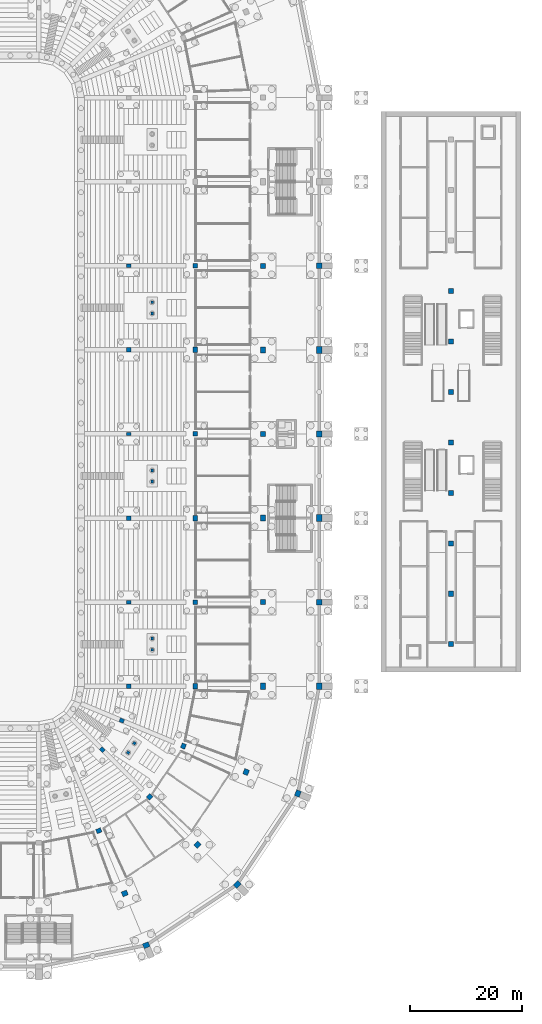
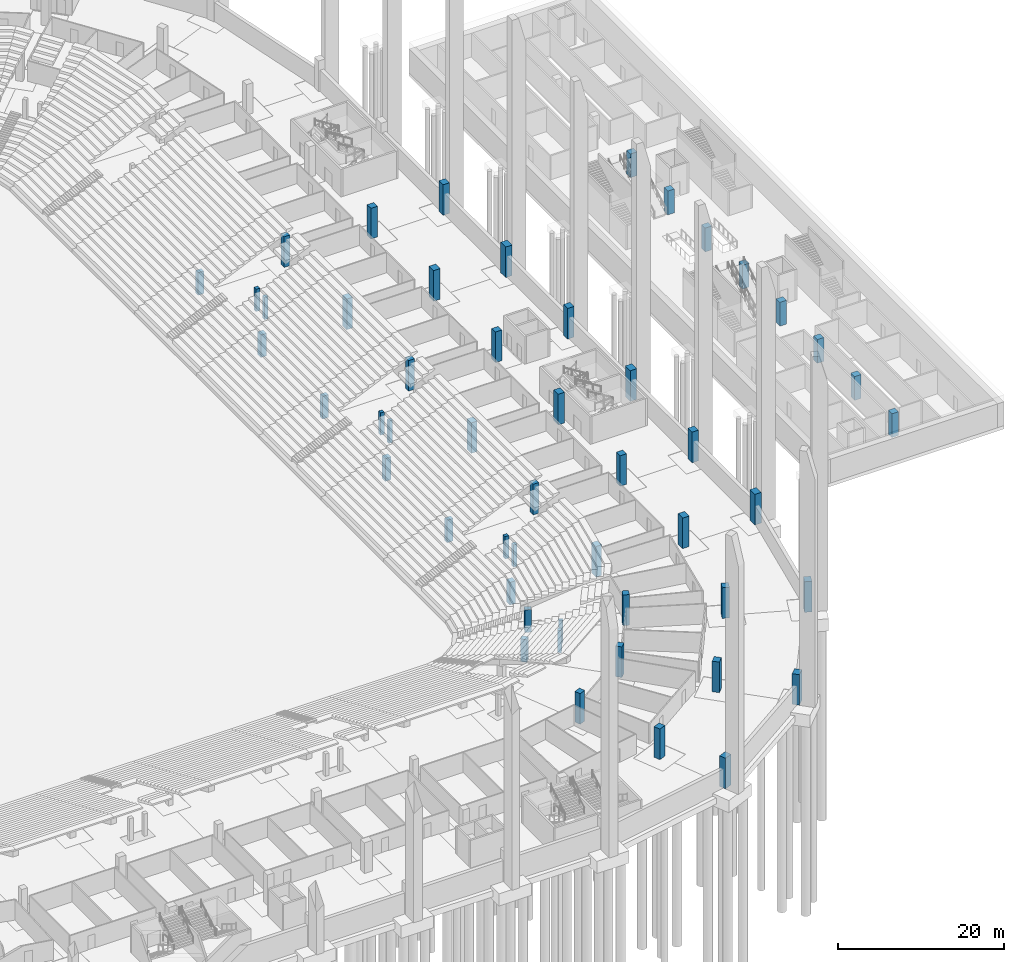
# One storey, part 11 of 115: 51 columns.
"""IFC4 building model written with IfcOpenShell, lengths in metres."""

from ifc_helpers import new_model, si_unit, direction, frame, origin, origin_2d, place, context, subcontext, project, spatial, rectangle, extrude, material, material_profile, profile_set, type_object, element, save


model = new_model("IFC4")

# Units and contexts
model_context = context("Model", 3, precision=1e-05, world=origin(), true_north=direction((0.0, 1.0)))
body_context = subcontext(model_context, "Body", "Model", "MODEL_VIEW")
ifc_project = project(units=[si_unit("LENGTHUNIT", "METRE"), si_unit("AREAUNIT", "SQUARE_METRE"), si_unit("VOLUMEUNIT", "CUBIC_METRE"), si_unit("PLANEANGLEUNIT", "RADIAN"), si_unit("MASSUNIT", "GRAM", prefix="KILO")], contexts=[model_context])

# Site, building, storey
site_placement = place(None, origin())
site = spatial("IfcSite", under=ifc_project, at=site_placement, CompositionType="ELEMENT")
building_placement = place(site_placement, origin())
building = spatial("IfcBuilding", under=site, at=building_placement, Name="Ogive Plaza Stadium", CompositionType="ELEMENT")
storey_placement = place(building_placement, frame((0.0, 0.0, -4.5)))
storey = spatial("IfcBuildingStorey", under=building, at=storey_placement, Name="B1", CompositionType="ELEMENT", Elevation=-4.5)

# Columns
ifc_material_1 = material(Name="Concrete C40/50", Category="concrete")
ifc_material_profile_1 = material_profile(ifc_material_1, rectangle(XDim=0.800048828125, YDim=0.800048828125, at=origin_2d()), Name="RC 800x800")
ifc_profile_set_1 = profile_set([ifc_material_profile_1], Name="Concrete C40/50")
column_type_1 = type_object("IfcColumnType", Name="RC column F1 core 800x800", PredefinedType="COLUMN", material=ifc_profile_set_1)
for number, where, z_axis, x_axis, name in (
    (1, (50.0, 7.5, 0.0), (0.0, 0.0, 1.0), (0.0, 1.0, 0.0), "Column F1 R04 B1"),
    (2, (50.0, -22.5, 0.0), (0.0, 0.0, 1.0), (0.0, 1.0, 0.0), "Column F1 R06 B1"),
    (3, (50.0, -52.5, 0.0), (0.0, 0.0, 1.0), (0.0, 1.0, 0.0), "Column F1 R08 B1"),
):
    element("IfcColumn", number, at=place(storey_placement, frame(where, z_axis=z_axis, x_axis=x_axis)), inside=storey, type_object=column_type_1, Name=name, PredefinedType="COLUMN", context=body_context, shape_type="SweptSolid", body=[
        extrude(rectangle(XDim=0.800048828125, YDim=0.800048828125, at=origin_2d()), origin(), (0.0, 0.0, 1.0), 3.323486328125),
    ])
ifc_material_2 = material(Name="Concrete C40/50", Category="concrete")
ifc_material_profile_2 = material_profile(ifc_material_2, rectangle(XDim=0.699951171875, YDim=0.800048828125, at=origin_2d()), Name="RC 700x800")
ifc_profile_set_2 = profile_set([ifc_material_profile_2], Name="Concrete C40/50")
column_type_2 = type_object("IfcColumnType", Name="RC column F1 corner 700x800", PredefinedType="COLUMN", material=ifc_profile_set_2)
for number, where, z_axis, x_axis, name in (
    (4, (48.781982421875, -58.623046875, 0.0), (0.0, 0.0, 1.0), (0.382683432365, 0.923879532511, 0.0), "Column F1 R09 B1"),
    (5, (45.313720703125, -63.813720703125, 0.0), (0.0, 0.0, 1.0), (0.707106781187, 0.707106781187, 0.0), "Column F1 R10 B1"),
):
    element("IfcColumn", number, at=place(storey_placement, frame(where, z_axis=z_axis, x_axis=x_axis)), inside=storey, type_object=column_type_2, Name=name, PredefinedType="COLUMN", context=body_context, shape_type="SweptSolid", body=[
        extrude(rectangle(XDim=0.699951171875, YDim=0.800048828125, at=origin_2d()), origin(), (0.0, 0.0, 1.0), 3.323486328125),
    ])
ifc_material_3 = material(Name="Concrete C40/50", Category="concrete")
ifc_material_profile_3 = material_profile(ifc_material_3, rectangle(XDim=0.60009765625, YDim=0.800048828125, at=origin_2d()), Name="RC 600x800")
ifc_profile_set_3 = profile_set([ifc_material_profile_3], Name="Concrete C40/50")
column_type_3 = type_object("IfcColumnType", Name="RC column F1 typical 600x800", PredefinedType="COLUMN", material=ifc_profile_set_3)
for number, where, z_axis, x_axis, name in (
    (6, (50.0, 22.5, 0.0), (0.0, 0.0, 1.0), (0.0, 1.0, 0.0), "Column F1 R03 B1"),
    (7, (50.0, -7.5, 0.0), (0.0, 0.0, 1.0), (0.0, 1.0, 0.0), "Column F1 R05 B1"),
    (8, (50.0, -37.5, 0.0), (0.0, 0.0, 1.0), (0.0, 1.0, 0.0), "Column F1 R07 B1"),
):
    element("IfcColumn", number, at=place(storey_placement, frame(where, z_axis=z_axis, x_axis=x_axis)), inside=storey, type_object=column_type_3, Name=name, PredefinedType="COLUMN", context=body_context, shape_type="SweptSolid", body=[
        extrude(rectangle(XDim=0.60009765625, YDim=0.800048828125, at=origin_2d()), origin(), (0.0, 0.0, 1.0), 3.323486328125),
    ])
ifc_material_4 = material(Name="Concrete C40/50", Category="concrete")
ifc_material_profile_4 = material_profile(ifc_material_4, rectangle(XDim=1.0, YDim=0.800048828125, at=origin_2d()), Name="RC 1000x800")
ifc_profile_set_4 = profile_set([ifc_material_profile_4], Name="Concrete C40/50")
column_type_4 = type_object("IfcColumnType", Name="RC column F3 core 1000x800", PredefinedType="COLUMN", material=ifc_profile_set_4)
for number, where, z_axis, x_axis, name in (
    (9, (61.89990234375, 7.5, 0.0), (0.0, 0.0, 1.0), (0.0, 1.0, 0.0), "Column F3 R04 B1"),
    (10, (61.89990234375, -22.5, 0.0), (0.0, 0.0, 1.0), (0.0, 1.0, 0.0), "Column F3 R06 B1"),
    (11, (61.89990234375, -52.5, 0.0), (0.0, 0.0, 1.0), (0.0, 1.0, 0.0), "Column F3 R08 B1"),
):
    element("IfcColumn", number, at=place(storey_placement, frame(where, z_axis=z_axis, x_axis=x_axis)), inside=storey, type_object=column_type_4, Name=name, PredefinedType="COLUMN", context=body_context, shape_type="SweptSolid", body=[
        extrude(rectangle(XDim=1.0, YDim=0.800048828125, at=origin_2d()), origin(), (0.0, 0.0, 1.0), 4.5),
    ])
ifc_material_5 = material(Name="Concrete C40/50", Category="concrete")
ifc_material_profile_5 = material_profile(ifc_material_5, rectangle(XDim=0.89990234375, YDim=0.800048828125, at=origin_2d()), Name="RC 900x800")
ifc_profile_set_5 = profile_set([ifc_material_profile_5], Name="Concrete C40/50")
column_type_5 = type_object("IfcColumnType", Name="RC column F3 corner 900x800", PredefinedType="COLUMN", material=ifc_profile_set_5)
for number, where, z_axis, x_axis, name in (
    (12, (59.776123046875, -63.1767578125, 0.0), (0.0, 0.0, 1.0), (0.382683432365, 0.923879532511, 0.0), "Column F3 R09 B1"),
    (13, (53.728271484375, -72.228271484375, 0.0), (0.0, 0.0, 1.0), (0.707106781187, 0.707106781187, 0.0), "Column F3 R10 B1"),
    (14, (44.6767578125, -78.276123046875, 0.0), (0.0, 0.0, 1.0), (0.923879532511, 0.382683432365, 0.0), "Column F3 R11 B1"),
):
    element("IfcColumn", number, at=place(storey_placement, frame(where, z_axis=z_axis, x_axis=x_axis)), inside=storey, type_object=column_type_5, Name=name, PredefinedType="COLUMN", context=body_context, shape_type="SweptSolid", body=[
        extrude(rectangle(XDim=0.89990234375, YDim=0.800048828125, at=origin_2d()), origin(), (0.0, 0.0, 1.0), 4.5),
    ])
ifc_material_6 = material(Name="Concrete C40/50", Category="concrete")
ifc_material_profile_6 = material_profile(ifc_material_6, rectangle(XDim=0.800048828125, YDim=0.800048828125, at=origin_2d()), Name="RC 800x800")
ifc_profile_set_6 = profile_set([ifc_material_profile_6], Name="Concrete C40/50")
column_type_6 = type_object("IfcColumnType", Name="RC column F3 typical 800x800", PredefinedType="COLUMN", material=ifc_profile_set_6)
for number, where, z_axis, x_axis, name in (
    (15, (61.89990234375, 22.5, 0.0), (0.0, 0.0, 1.0), (0.0, 1.0, 0.0), "Column F3 R03 B1"),
    (16, (61.89990234375, -7.5, 0.0), (0.0, 0.0, 1.0), (0.0, 1.0, 0.0), "Column F3 R05 B1"),
    (17, (61.89990234375, -37.5, 0.0), (0.0, 0.0, 1.0), (0.0, 1.0, 0.0), "Column F3 R07 B1"),
):
    element("IfcColumn", number, at=place(storey_placement, frame(where, z_axis=z_axis, x_axis=x_axis)), inside=storey, type_object=column_type_6, Name=name, PredefinedType="COLUMN", context=body_context, shape_type="SweptSolid", body=[
        extrude(rectangle(XDim=0.800048828125, YDim=0.800048828125, at=origin_2d()), origin(), (0.0, 0.0, 1.0), 4.5),
    ])
ifc_material_7 = material(Name="Concrete C40/50", Category="concrete")
ifc_material_profile_7 = material_profile(ifc_material_7, rectangle(XDim=1.10009765625, YDim=0.89990234375, at=origin_2d()), Name="RC 1100x900")
ifc_profile_set_7 = profile_set([ifc_material_profile_7], Name="Concrete C40/50")
column_type_7 = type_object("IfcColumnType", Name="RC column F4 core 1100x900", PredefinedType="COLUMN", material=ifc_profile_set_7)
for number, where, z_axis, x_axis, name in (
    (18, (74.0, 7.5, 0.0), (0.0, 0.0, 1.0), (0.0, 1.0, 0.0), "Column F4 R04 B1"),
    (19, (74.0, -22.5, 0.0), (0.0, 0.0, 1.0), (0.0, 1.0, 0.0), "Column F4 R06 B1"),
    (20, (74.0, -52.5, 0.0), (0.0, 0.0, 1.0), (0.0, 1.0, 0.0), "Column F4 R08 B1"),
):
    element("IfcColumn", number, at=place(storey_placement, frame(where, z_axis=z_axis, x_axis=x_axis)), inside=storey, type_object=column_type_7, Name=name, PredefinedType="COLUMN", context=body_context, shape_type="SweptSolid", body=[
        extrude(rectangle(XDim=1.10009765625, YDim=0.89990234375, at=origin_2d()), origin(), (0.0, 0.0, 1.0), 4.5),
    ])
ifc_material_8 = material(Name="Concrete C40/50", Category="concrete")
ifc_material_profile_8 = material_profile(ifc_material_8, rectangle(XDim=1.0, YDim=0.89990234375, at=origin_2d()), Name="RC 1000x900")
ifc_profile_set_8 = profile_set([ifc_material_profile_8], Name="Concrete C40/50")
column_type_8 = type_object("IfcColumnType", Name="RC column F4 corner 1000x900", PredefinedType="COLUMN", material=ifc_profile_set_8)
for number, where, z_axis, x_axis, name in (
    (21, (70.955078125, -67.807373046875, 0.0), (0.0, 0.0, 1.0), (0.382683432365, 0.923879532511, 0.0), "Column F4 R09 B1"),
    (22, (62.2841796875, -80.7841796875, 0.0), (0.0, 0.0, 1.0), (0.707106781187, 0.707106781187, 0.0), "Column F4 R10 B1"),
    (23, (49.307373046875, -89.455078125, 0.0), (0.0, 0.0, 1.0), (0.923879532511, 0.382683432365, 0.0), "Column F4 R11 B1"),
):
    element("IfcColumn", number, at=place(storey_placement, frame(where, z_axis=z_axis, x_axis=x_axis)), inside=storey, type_object=column_type_8, Name=name, PredefinedType="COLUMN", context=body_context, shape_type="SweptSolid", body=[
        extrude(rectangle(XDim=1.0, YDim=0.89990234375, at=origin_2d()), origin(), (0.0, 0.0, 1.0), 4.5),
    ])
ifc_material_9 = material(Name="Concrete C40/50", Category="concrete")
ifc_material_profile_9 = material_profile(ifc_material_9, rectangle(XDim=0.89990234375, YDim=0.89990234375, at=origin_2d()), Name="RC 900x900")
ifc_profile_set_9 = profile_set([ifc_material_profile_9], Name="Concrete C40/50")
column_type_9 = type_object("IfcColumnType", Name="RC column F4 typical 900x900", PredefinedType="COLUMN", material=ifc_profile_set_9)
for number, where, z_axis, x_axis, name in (
    (24, (74.0, 22.5, 0.0), (0.0, 0.0, 1.0), (0.0, 1.0, 0.0), "Column F4 R03 B1"),
    (25, (74.0, -7.5, 0.0), (0.0, 0.0, 1.0), (0.0, 1.0, 0.0), "Column F4 R05 B1"),
    (26, (74.0, -37.5, 0.0), (0.0, 0.0, 1.0), (0.0, 1.0, 0.0), "Column F4 R07 B1"),
):
    element("IfcColumn", number, at=place(storey_placement, frame(where, z_axis=z_axis, x_axis=x_axis)), inside=storey, type_object=column_type_9, Name=name, PredefinedType="COLUMN", context=body_context, shape_type="SweptSolid", body=[
        extrude(rectangle(XDim=0.89990234375, YDim=0.89990234375, at=origin_2d()), origin(), (0.0, 0.0, 1.0), 4.5),
    ])
ifc_material_10 = material(Name="Concrete C40/50", Category="concrete")
ifc_material_profile_10 = material_profile(ifc_material_10, rectangle(XDim=1.199951171875, YDim=0.89990234375, at=origin_2d()), Name="RC 1200x900")
ifc_profile_set_10 = profile_set([ifc_material_profile_10], Name="Concrete C40/50")
column_type_10 = type_object("IfcColumnType", Name="RC column F5 core 1200x900", PredefinedType="COLUMN", material=ifc_profile_set_10)
for number, where, z_axis, x_axis, name in (
    (27, (84.0, 7.5, 0.0), (0.0, 0.0, 1.0), (0.0, 1.0, 0.0), "Column F5 R04 B1"),
    (28, (84.0, -22.5, 0.0), (0.0, 0.0, 1.0), (0.0, 1.0, 0.0), "Column F5 R06 B1"),
    (29, (84.0, -52.5, 0.0), (0.0, 0.0, 1.0), (0.0, 1.0, 0.0), "Column F5 R08 B1"),
):
    element("IfcColumn", number, at=place(storey_placement, frame(where, z_axis=z_axis, x_axis=x_axis)), inside=storey, type_object=column_type_10, Name=name, PredefinedType="COLUMN", context=body_context, shape_type="SweptSolid", body=[
        extrude(rectangle(XDim=1.199951171875, YDim=0.89990234375, at=origin_2d()), origin(), (0.0, 0.0, 1.0), 4.5),
    ])
ifc_material_11 = material(Name="Concrete C40/50", Category="concrete")
ifc_material_profile_11 = material_profile(ifc_material_11, rectangle(XDim=1.10009765625, YDim=0.89990234375, at=origin_2d()), Name="RC 1100x900")
ifc_profile_set_11 = profile_set([ifc_material_profile_11], Name="Concrete C40/50")
column_type_11 = type_object("IfcColumnType", Name="RC column F5 corner 1100x900", PredefinedType="COLUMN", material=ifc_profile_set_11)
for number, where, z_axis, x_axis, name in (
    (30, (80.194091796875, -71.63427734375, 0.0), (0.0, 0.0, 1.0), (0.382683432365, 0.923879532511, 0.0), "Column F5 R09 B1"),
    (31, (69.355224609375, -87.855224609375, 0.0), (0.0, 0.0, 1.0), (0.707106781187, 0.707106781187, 0.0), "Column F5 R10 B1"),
    (32, (53.13427734375, -98.694091796875, 0.0), (0.0, 0.0, 1.0), (0.923879532511, 0.382683432365, 0.0), "Column F5 R11 B1"),
):
    element("IfcColumn", number, at=place(storey_placement, frame(where, z_axis=z_axis, x_axis=x_axis)), inside=storey, type_object=column_type_11, Name=name, PredefinedType="COLUMN", context=body_context, shape_type="SweptSolid", body=[
        extrude(rectangle(XDim=1.10009765625, YDim=0.89990234375, at=origin_2d()), origin(), (0.0, 0.0, 1.0), 4.5),
    ])
ifc_material_12 = material(Name="Concrete C40/50", Category="concrete")
ifc_material_profile_12 = material_profile(ifc_material_12, rectangle(XDim=1.0, YDim=0.89990234375, at=origin_2d()), Name="RC 1000x900")
ifc_profile_set_12 = profile_set([ifc_material_profile_12], Name="Concrete C40/50")
column_type_12 = type_object("IfcColumnType", Name="RC column F5 typical 1000x900", PredefinedType="COLUMN", material=ifc_profile_set_12)
for number, where, z_axis, x_axis, name in (
    (33, (84.0, 22.5, 0.0), (0.0, 0.0, 1.0), (0.0, 1.0, 0.0), "Column F5 R03 B1"),
    (34, (84.0, -7.5, 0.0), (0.0, 0.0, 1.0), (0.0, 1.0, 0.0), "Column F5 R05 B1"),
    (35, (84.0, -37.5, 0.0), (0.0, 0.0, 1.0), (0.0, 1.0, 0.0), "Column F5 R07 B1"),
):
    element("IfcColumn", number, at=place(storey_placement, frame(where, z_axis=z_axis, x_axis=x_axis)), inside=storey, type_object=column_type_12, Name=name, PredefinedType="COLUMN", context=body_context, shape_type="SweptSolid", body=[
        extrude(rectangle(XDim=1.0, YDim=0.89990234375, at=origin_2d()), origin(), (0.0, 0.0, 1.0), 4.5),
    ])
ifc_material_13 = material(Name="Concrete C40/50", Category="concrete")
ifc_material_profile_13 = material_profile(ifc_material_13, rectangle(XDim=0.5, YDim=0.5, at=origin_2d()), Name="RC 500x500")
ifc_profile_set_13 = profile_set([ifc_material_profile_13], Name="Concrete C40/50")
column_type_13 = type_object("IfcColumnType", Name="RC column vomitory 500x500", PredefinedType="COLUMN", material=ifc_profile_set_13)
for number, where, z_axis, x_axis, name in (
    (36, (54.199951171875, 14.0, 0.0), (0.0, 0.0, 1.0), (0.0, 1.0, 0.0), "Column F1V B03 1"),
    (37, (54.199951171875, 16.0, 0.0), (0.0, 0.0, 1.0), (0.0, 1.0, 0.0), "Column F1V B03 2"),
    (38, (54.199951171875, -16.0, 0.0), (0.0, 0.0, 1.0), (0.0, 1.0, 0.0), "Column F1V B05 1"),
    (39, (54.199951171875, -14.0, 0.0), (0.0, 0.0, 1.0), (0.0, 1.0, 0.0), "Column F1V B05 2"),
    (40, (54.199951171875, -46.0, 0.0), (0.0, 0.0, 1.0), (0.0, 1.0, 0.0), "Column F1V B07 1"),
    (41, (54.199951171875, -44.0, 0.0), (0.0, 0.0, 1.0), (0.0, 1.0, 0.0), "Column F1V B07 2"),
    (42, (49.91748046875, -64.33837890625, 0.0), (0.0, 0.0, 1.0), (0.55557023302, 0.831469612303, 0.0), "Column F1V B09 1"),
    (43, (51.028564453125, -62.67529296875, 0.0), (0.0, 0.0, 1.0), (0.55557023302, 0.831469612303, 0.0), "Column F1V B09 2"),
):
    element("IfcColumn", number, at=place(storey_placement, frame(where, z_axis=z_axis, x_axis=x_axis)), inside=storey, type_object=column_type_13, Name=name, PredefinedType="COLUMN", context=body_context, shape_type="SweptSolid", body=[
        extrude(rectangle(XDim=0.5, YDim=0.5, at=origin_2d()), origin(), (0.0, 0.0, 1.0), 3.2900390625),
    ])
ifc_material_14 = material(Name="Concrete C40/50", Category="concrete")
ifc_material_profile_14 = material_profile(ifc_material_14, rectangle(XDim=0.89990234375, YDim=0.89990234375, at=origin_2d()), Name="Station column RC 900")
ifc_profile_set_14 = profile_set([ifc_material_profile_14], Name="Concrete C40/50")
column_type_14 = type_object("IfcColumnType", Name="Station column RC 900", PredefinedType="COLUMN", material=ifc_profile_set_14)
for number, where, z_axis, x_axis, name in (
    (44, (107.5, -45.0, 0.0), (0.0, 0.0, 1.0), (1.0, 0.0, 0.0), "Station column 1 B1"),
    (45, (107.5, -36.0, 0.0), (0.0, 0.0, 1.0), (1.0, 0.0, 0.0), "Station column 2 B1"),
    (46, (107.5, -27.0, 0.0), (0.0, 0.0, 1.0), (1.0, 0.0, 0.0), "Station column 3 B1"),
    (47, (107.5, -18.0, 0.0), (0.0, 0.0, 1.0), (1.0, 0.0, 0.0), "Station column 4 B1"),
    (48, (107.5, -9.0, 0.0), (0.0, 0.0, 1.0), (1.0, 0.0, 0.0), "Station column 5 B1"),
    (49, (107.5, 0.0, 0.0), (0.0, 0.0, 1.0), (1.0, 0.0, 0.0), "Station column 6 B1"),
    (50, (107.5, 9.0, 0.0), (0.0, 0.0, 1.0), (1.0, 0.0, 0.0), "Station column 7 B1"),
    (51, (107.5, 18.0, 0.0), (0.0, 0.0, 1.0), (1.0, 0.0, 0.0), "Station column 8 B1"),
):
    element("IfcColumn", number, at=place(storey_placement, frame(where, z_axis=z_axis, x_axis=x_axis)), inside=storey, type_object=column_type_14, Name=name, PredefinedType="COLUMN", context=body_context, shape_type="SweptSolid", body=[
        extrude(rectangle(XDim=0.89990234375, YDim=0.89990234375, at=origin_2d()), origin(), (0.0, 0.0, 1.0), 3.5),
    ])

save(model, "model.ifc")
